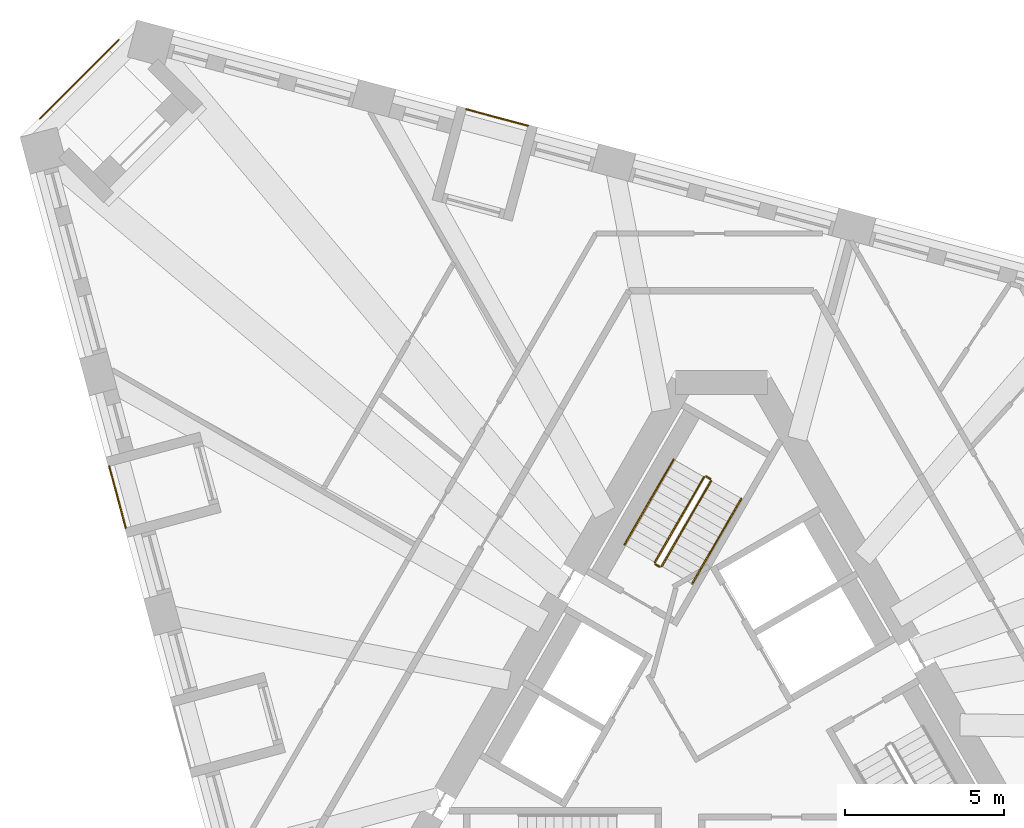
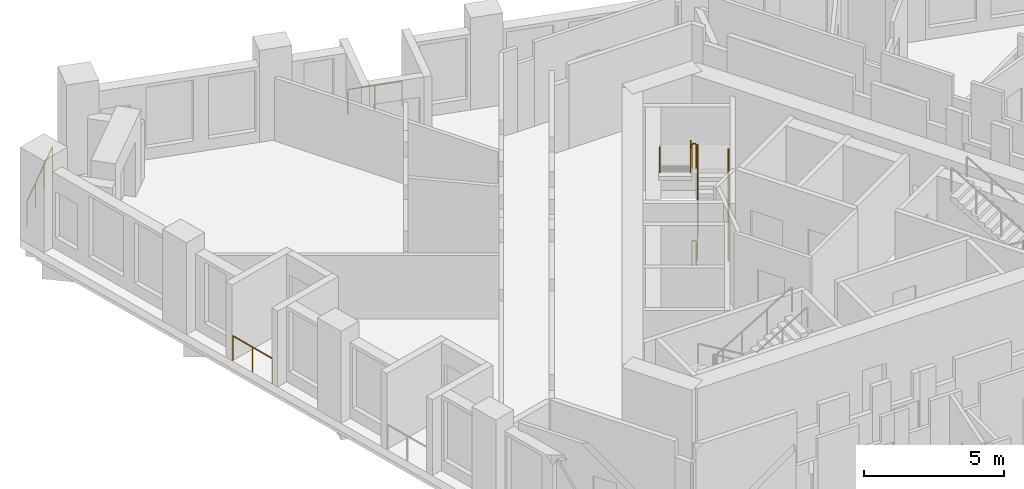
# One storey, part 12 of 13: 9 railings.
"""IFC4 building model written with IfcOpenShell, lengths in metres."""

from ifc_helpers import new_model, si_unit, direction, frame, origin, origin_2d, place, context, subcontext, project, spatial, circle, extrude, material, type_object, element, save


model = new_model("IFC4")

# Units and contexts
model_context = context("Model", 3, precision=1e-05, world=origin(), true_north=direction((0.0, 1.0)))
body_context = subcontext(model_context, "Body", "Model", "MODEL_VIEW")
ifc_project = project(units=[si_unit("LENGTHUNIT", "METRE"), si_unit("AREAUNIT", "SQUARE_METRE"), si_unit("VOLUMEUNIT", "CUBIC_METRE"), si_unit("PLANEANGLEUNIT", "RADIAN"), si_unit("MASSUNIT", "GRAM", prefix="KILO")], contexts=[model_context])

# Site, building, storey
site_placement = place(None, origin())
site = spatial("IfcSite", under=ifc_project, at=site_placement, CompositionType="ELEMENT")
building_placement = place(site_placement, origin())
building = spatial("IfcBuilding", under=site, at=building_placement, Name="Tramontana Tower", CompositionType="ELEMENT")
storey_placement = place(building_placement, frame((0.0, 0.0, 208.0)))
storey = spatial("IfcBuildingStorey", under=building, at=storey_placement, Name="L48", CompositionType="ELEMENT", Elevation=208.0)

# Railings
ifc_material_1 = material(Name="Laminated glass balustrade", Category="glass")
railing_type_1 = type_object("IfcRailingType", Name="GD1 Loggia glass balustrade 1100", PredefinedType="BALUSTRADE", material=ifc_material_1)
railing_1_placement = place(storey_placement, frame((-19.193359375, 7.9951171875, 0.0)))
element("IfcRailing", 1, at=railing_1_placement, inside=storey, type_object=railing_type_1, Name="Loggia balustrade L48 G5S0.4", PredefinedType="BALUSTRADE", context=body_context, shape_type="SweptSolid", body=[
    extrude(circle(Radius=0.02392578125, at=origin_2d()), frame((0.0, 0.0, 1.076171875), z_axis=(0.258803270362, -0.96593005298, 0.0), x_axis=(0.96593005298, 0.258803270362, 0.0)), (0.0, 0.0, 1.0), 1.998046875),
    extrude(circle(Radius=0.02099609375, at=origin_2d()), origin(), (0.0, 0.0, 1.0), 1.052001953125),
    extrude(circle(Radius=0.02099609375, at=origin_2d()), frame((0.258544921875, -0.96484375, 0.0)), (0.0, 0.0, 1.0), 1.052001953125),
    extrude(circle(Radius=0.02099609375, at=origin_2d()), frame((0.51708984375, -1.929931640625, 0.0)), (0.0, 0.0, 1.0), 1.052001953125),
])
railing_2_placement = place(storey_placement, frame((-6.065185546875, 18.67626953125, 0.0)))
element("IfcRailing", 2, at=railing_2_placement, inside=storey, type_object=railing_type_1, Name="Loggia balustrade L48 G5S2.13", PredefinedType="BALUSTRADE", context=body_context, shape_type="SweptSolid", body=[
    extrude(circle(Radius=0.02392578125, at=origin_2d()), frame((0.0, 0.0, 1.076171875), z_axis=(-0.96593005298, 0.258803270362, 0.0), x_axis=(-0.258803270362, -0.96593005298, 0.0)), (0.0, 0.0, 1.0), 1.998046875),
    extrude(circle(Radius=0.02099609375, at=origin_2d()), origin(), (0.0, 0.0, 1.0), 1.052001953125),
    extrude(circle(Radius=0.02099609375, at=origin_2d()), frame((-0.96484375, 0.258544921875, 0.0)), (0.0, 0.0, 1.0), 1.052001953125),
    extrude(circle(Radius=0.02099609375, at=origin_2d()), frame((-1.929931640625, 0.51708984375, 0.0)), (0.0, 0.0, 1.0), 1.052001953125),
])
railing_3_placement = place(storey_placement, frame((-21.36865234375, 18.893798828125, 0.0)))
element("IfcRailing", 3, at=railing_3_placement, inside=storey, type_object=railing_type_1, Name="Corner loggia balustrade L48 K50", PredefinedType="BALUSTRADE", context=body_context, shape_type="SweptSolid", body=[
    extrude(circle(Radius=0.02392578125, at=origin_2d()), frame((0.0, 0.0, 1.076171875), z_axis=(0.707106781187, 0.707106781187, 0.0), x_axis=(-0.707106781187, 0.707106781187, 0.0)), (0.0, 0.0, 1.0), 3.5),
    extrude(circle(Radius=0.02099609375, at=origin_2d()), origin(), (0.0, 0.0, 1.0), 1.052001953125),
    extrude(circle(Radius=0.02099609375, at=origin_2d()), frame((0.824951171875, 0.824951171875, 0.0)), (0.0, 0.0, 1.0), 1.052001953125),
    extrude(circle(Radius=0.02099609375, at=origin_2d()), frame((1.64990234375, 1.64990234375, 0.0)), (0.0, 0.0, 1.0), 1.052001953125),
    extrude(circle(Radius=0.02099609375, at=origin_2d()), frame((2.474853515625, 2.474853515625, 0.0)), (0.0, 0.0, 1.0), 1.052001953125),
])
ifc_material_2 = material(Name="Painted steel", Category="steel")
railing_type_2 = type_object("IfcRailingType", Name="STAIR GUARD 1100", PredefinedType="GUARDRAIL", material=ifc_material_2)
railing_4_placement = place(storey_placement, frame((-1.867431640625, 4.865478515625, 0.166748046875)))
element("IfcRailing", 4, at=railing_4_placement, inside=storey, type_object=railing_type_2, Name="L48 ST1 stair guard 1", PredefinedType="GUARDRAIL", context=body_context, shape_type="SweptSolid", body=[
    extrude(circle(Radius=0.02392578125, at=origin_2d()), frame((0.0, 0.0, 1.076171875), z_axis=(0.429649414936, 0.744189839504, 0.511451721109), x_axis=(-0.866029832698, 0.499992328818, 0.0)), (0.0, 0.0, 1.0), 3.58447265625),
    extrude(circle(Radius=0.02099609375, at=origin_2d()), origin(), (0.0, 0.0, 1.0), 1.052001953125),
    extrude(circle(Radius=0.02099609375, at=origin_2d()), frame((0.513427734375, 0.88916015625, 0.611083984375)), (0.0, 0.0, 1.0), 1.052001953125),
    extrude(circle(Radius=0.02099609375, at=origin_2d()), frame((1.026611328125, 1.7783203125, 1.22216796875)), (0.0, 0.0, 1.0), 1.052001953125),
    extrude(circle(Radius=0.02099609375, at=origin_2d()), frame((1.5400390625, 2.66748046875, 1.833251953125)), (0.0, 0.0, 1.0), 1.052001953125),
])
railing_5_placement = place(storey_placement, frame((-0.5439453125, 7.657958984375, 2.166748046875)))
element("IfcRailing", 5, at=railing_5_placement, inside=storey, type_object=railing_type_2, Name="L48 ST1 stair guard 2", PredefinedType="GUARDRAIL", context=body_context, shape_type="SweptSolid", body=[
    extrude(circle(Radius=0.02392578125, at=origin_2d()), frame((0.0, 0.0, 1.076171875), z_axis=(-0.429649414936, -0.744189839504, 0.511451721109), x_axis=(0.866029832698, -0.499992328818, 0.0)), (0.0, 0.0, 1.0), 3.58447265625),
    extrude(circle(Radius=0.02099609375, at=origin_2d()), origin(), (0.0, 0.0, 1.0), 1.052001953125),
    extrude(circle(Radius=0.02099609375, at=origin_2d()), frame((-0.513427734375, -0.88916015625, 0.611083984375)), (0.0, 0.0, 1.0), 1.052001953125),
    extrude(circle(Radius=0.02099609375, at=origin_2d()), frame((-1.026611328125, -1.7783203125, 1.22216796875)), (0.0, 0.0, 1.0), 1.052001953125),
    extrude(circle(Radius=0.02099609375, at=origin_2d()), frame((-1.5400390625, -2.66748046875, 1.833251953125)), (0.0, 0.0, 1.0), 1.052001953125),
])
railing_6_placement = place(storey_placement, frame((-0.345703125, 7.601318359375, 2.0)))
element("IfcRailing", 6, at=railing_6_placement, inside=storey, type_object=railing_type_2, Name="L48 ST1 stair guard 3", PredefinedType="GUARDRAIL", context=body_context, shape_type="SweptSolid", body=[
    extrude(circle(Radius=0.02392578125, at=origin_2d()), frame((0.0, 0.0, 1.076171875), z_axis=(-0.866131372301, 0.499816412211, 0.0), x_axis=(-0.499816412211, -0.866131372301, 0.0)), (0.0, 0.0, 1.0), 0.14990234375),
    extrude(circle(Radius=0.02099609375, at=origin_2d()), origin(), (0.0, 0.0, 1.0), 1.052001953125),
    extrude(circle(Radius=0.02099609375, at=origin_2d()), frame((-0.1298828125, 0.074951171875, 0.0)), (0.0, 0.0, 1.0), 1.052001953125),
])
railing_7_placement = place(storey_placement, frame((-1.935791015625, 4.84716796875, 0.0)))
element("IfcRailing", 7, at=railing_7_placement, inside=storey, type_object=railing_type_2, Name="L48 ST1 stair guard 4", PredefinedType="GUARDRAIL", context=body_context, shape_type="SweptSolid", body=[
    extrude(circle(Radius=0.02392578125, at=origin_2d()), frame((0.0, 0.0, 1.076171875), z_axis=(-0.865426285481, 0.501036270542, 0.0), x_axis=(-0.501036270542, -0.865426285481, 0.0)), (0.0, 0.0, 1.0), 0.150146484375),
    extrude(circle(Radius=0.02099609375, at=origin_2d()), origin(), (0.0, 0.0, 1.0), 1.052001953125),
    extrude(circle(Radius=0.02099609375, at=origin_2d()), frame((-0.1298828125, 0.0751953125, 0.0)), (0.0, 0.0, 1.0), 1.052001953125),
])
ifc_material_3 = material(Name="Painted steel", Category="steel")
railing_type_3 = type_object("IfcRailingType", Name="STAIR HANDRAIL 900", PredefinedType="HANDRAIL", material=ifc_material_3)
railing_8_placement = place(storey_placement, frame((-0.914794921875, 4.315673828125, 0.166748046875)))
element("IfcRailing", 8, at=railing_8_placement, inside=storey, type_object=railing_type_3, Name="L48 ST1 stair handrail 1", PredefinedType="HANDRAIL", context=body_context, shape_type="SweptSolid", body=[
    extrude(circle(Radius=0.02392578125, at=origin_2d()), frame((0.0, 0.0, 0.8759765625), z_axis=(0.429671193721, 0.744159446956, 0.511477646425), x_axis=(-0.866010015463, 0.500026652407, 0.0)), (0.0, 0.0, 1.0), 3.584228515625),
    extrude(circle(Radius=0.02099609375, at=origin_2d()), origin(), (0.0, 0.0, 1.0), 0.851806640625),
    extrude(circle(Radius=0.02099609375, at=origin_2d()), frame((0.513427734375, 0.88916015625, 0.611083984375)), (0.0, 0.0, 1.0), 0.851806640625),
    extrude(circle(Radius=0.02099609375, at=origin_2d()), frame((1.026611328125, 1.778076171875, 1.22216796875)), (0.0, 0.0, 1.0), 0.851806640625),
    extrude(circle(Radius=0.02099609375, at=origin_2d()), frame((1.5400390625, 2.667236328125, 1.833251953125)), (0.0, 0.0, 1.0), 0.851806640625),
])
railing_9_placement = place(storey_placement, frame((-1.49658203125, 8.2080078125, 2.166748046875)))
element("IfcRailing", 9, at=railing_9_placement, inside=storey, type_object=railing_type_3, Name="L48 ST1 stair handrail 2", PredefinedType="HANDRAIL", context=body_context, shape_type="SweptSolid", body=[
    extrude(circle(Radius=0.02392578125, at=origin_2d()), frame((0.0, 0.0, 0.8759765625), z_axis=(-0.429649414936, -0.744189839504, 0.511451721109), x_axis=(0.866029832698, -0.499992328818, 0.0)), (0.0, 0.0, 1.0), 3.58447265625),
    extrude(circle(Radius=0.02099609375, at=origin_2d()), origin(), (0.0, 0.0, 1.0), 0.851806640625),
    extrude(circle(Radius=0.02099609375, at=origin_2d()), frame((-0.513427734375, -0.88916015625, 0.611083984375)), (0.0, 0.0, 1.0), 0.851806640625),
    extrude(circle(Radius=0.02099609375, at=origin_2d()), frame((-1.026611328125, -1.7783203125, 1.22216796875)), (0.0, 0.0, 1.0), 0.851806640625),
    extrude(circle(Radius=0.02099609375, at=origin_2d()), frame((-1.5400390625, -2.66748046875, 1.833251953125)), (0.0, 0.0, 1.0), 0.851806640625),
])

save(model, "model.ifc")
